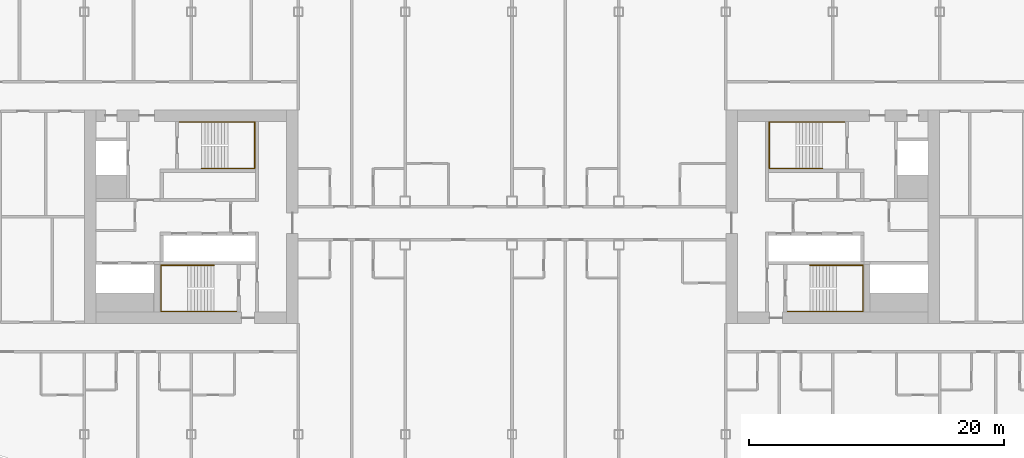
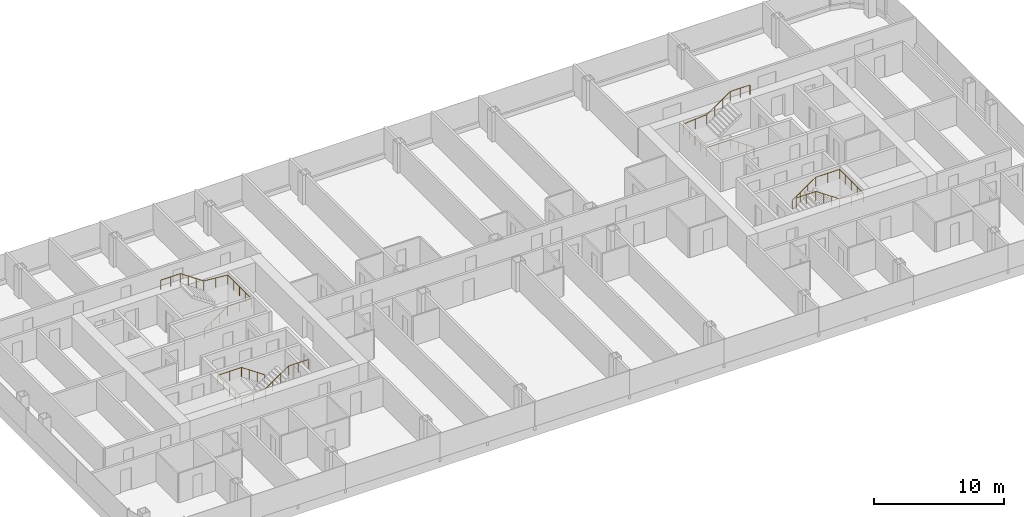
# One storey, part 26 of 26: 4 railings.
"""IFC4 building model written with IfcOpenShell, lengths in metres."""

from ifc_helpers import new_model, si_unit, direction, frame, origin, origin_2d, place, context, subcontext, project, spatial, circle, extrude, material, type_object, element, save


model = new_model("IFC4")

# Units and contexts
model_context = context("Model", 3, precision=1e-05, world=origin(), true_north=direction((0.0, 1.0)))
body_context = subcontext(model_context, "Body", "Model", "MODEL_VIEW")
ifc_project = project(units=[si_unit("LENGTHUNIT", "METRE"), si_unit("AREAUNIT", "SQUARE_METRE"), si_unit("VOLUMEUNIT", "CUBIC_METRE"), si_unit("PLANEANGLEUNIT", "RADIAN"), si_unit("MASSUNIT", "GRAM", prefix="KILO")], contexts=[model_context])

# Site, building, storey
site_placement = place(None, origin())
site = spatial("IfcSite", under=ifc_project, at=site_placement, CompositionType="ELEMENT")
building_placement = place(site_placement, origin())
building = spatial("IfcBuilding", under=site, at=building_placement, Name="Hakoniwa Tower and Hamabe Station Hall", CompositionType="ELEMENT")
storey_placement = place(building_placement, frame((0.0, 0.0, 140.60009765625)))
storey = spatial("IfcBuildingStorey", under=building, at=storey_placement, Name="L39", CompositionType="ELEMENT", Elevation=140.60009765625)

# Railings
ifc_material = material(Name="Stainless steel SUS304", Category="steel")
railing_type = type_object("IfcRailingType", Name="STAIR HANDRAIL 900", PredefinedType="HANDRAIL", material=ifc_material)
railing_1_placement = place(storey_placement, frame((-24.39990234375, 3.81005859375, 0.177734375)))
element("IfcRailing", 1, at=railing_1_placement, inside=storey, type_object=railing_type, Name="Handrail ST-1 L39 1", PredefinedType="HANDRAIL", context=body_context, shape_type="SweptSolid", body=[
    extrude(circle(Radius=0.02392578125, at=origin_2d()), frame((0.0, 0.0, 0.8759765625), z_axis=(0.825478349766, 0.0, 0.564433781827), x_axis=(0.0, 1.0, 0.0)), (0.0, 0.0, 1.0), 2.51953125),
    extrude(circle(Radius=0.02392578125, at=origin_2d()), frame((2.079833984375, 0.0, 2.2978515625), z_axis=(1.0, 0.0, 0.0), x_axis=(0.0, 1.0, 0.0)), (0.0, 0.0, 1.0), 2.110107421875),
    extrude(circle(Radius=0.02392578125, at=origin_2d()), frame((4.18994140625, 0.0, 2.2978515625), z_axis=(0.0, 1.0, 0.0), x_axis=(-1.0, 0.0, 0.0)), (0.0, 0.0, 1.0), 3.6298828125),
    extrude(circle(Radius=0.02392578125, at=origin_2d()), frame((4.18994140625, 3.6298828125, 2.2978515625), z_axis=(-0.996471417081, 0.0, 0.083932800143), x_axis=(0.0, -1.0, 0.0)), (0.0, 0.0, 1.0), 2.11767578125),
    extrude(circle(Radius=0.02392578125, at=origin_2d()), frame((2.079833984375, 3.6298828125, 2.4755859375), z_axis=(-0.825433201882, 0.0, 0.564499804456), x_axis=(0.0, -1.0, 0.0)), (0.0, 0.0, 1.0), 2.519775390625),
    extrude(circle(Radius=0.02392578125, at=origin_2d()), frame((0.0, 3.6298828125, 3.89794921875), z_axis=(-1.0, 0.0, 0.0), x_axis=(0.0, -1.0, 0.0)), (0.0, 0.0, 1.0), 1.739990234375),
    extrude(circle(Radius=0.02099609375, at=origin_2d()), origin(), (0.0, 0.0, 1.0), 0.851806640625),
    extrude(circle(Radius=0.02099609375, at=origin_2d()), frame((0.693359375, 0.0, 0.47412109375)), (0.0, 0.0, 1.0), 0.851806640625),
    extrude(circle(Radius=0.02099609375, at=origin_2d()), frame((1.386474609375, 0.0, 0.947998046875)), (0.0, 0.0, 1.0), 0.851806640625),
    extrude(circle(Radius=0.02099609375, at=origin_2d()), frame((2.079833984375, 0.0, 1.422119140625)), (0.0, 0.0, 1.0), 0.851806640625),
    extrude(circle(Radius=0.02099609375, at=origin_2d()), frame((3.134765625, 0.0, 1.422119140625)), (0.0, 0.0, 1.0), 0.851806640625),
    extrude(circle(Radius=0.02099609375, at=origin_2d()), frame((4.18994140625, 0.0, 1.422119140625)), (0.0, 0.0, 1.0), 0.851806640625),
    extrude(circle(Radius=0.02099609375, at=origin_2d()), frame((4.18994140625, 0.907470703125, 1.422119140625)), (0.0, 0.0, 1.0), 0.851806640625),
    extrude(circle(Radius=0.02099609375, at=origin_2d()), frame((4.18994140625, 1.81494140625, 1.422119140625)), (0.0, 0.0, 1.0), 0.851806640625),
    extrude(circle(Radius=0.02099609375, at=origin_2d()), frame((4.18994140625, 2.722412109375, 1.422119140625)), (0.0, 0.0, 1.0), 0.851806640625),
    extrude(circle(Radius=0.02099609375, at=origin_2d()), frame((4.18994140625, 3.6298828125, 1.422119140625)), (0.0, 0.0, 1.0), 0.851806640625),
    extrude(circle(Radius=0.02099609375, at=origin_2d()), frame((3.134765625, 3.6298828125, 1.510986328125)), (0.0, 0.0, 1.0), 0.851806640625),
    extrude(circle(Radius=0.02099609375, at=origin_2d()), frame((2.079833984375, 3.6298828125, 1.599853515625)), (0.0, 0.0, 1.0), 0.851806640625),
    extrude(circle(Radius=0.02099609375, at=origin_2d()), frame((1.386474609375, 3.6298828125, 2.073974609375)), (0.0, 0.0, 1.0), 0.851806640625),
    extrude(circle(Radius=0.02099609375, at=origin_2d()), frame((0.693359375, 3.6298828125, 2.548095703125)), (0.0, 0.0, 1.0), 0.851806640625),
    extrude(circle(Radius=0.02099609375, at=origin_2d()), frame((0.0, 3.6298828125, 3.022216796875)), (0.0, 0.0, 1.0), 0.851806640625),
    extrude(circle(Radius=0.02099609375, at=origin_2d()), frame((-0.8701171875, 3.6298828125, 3.022216796875)), (0.0, 0.0, 1.0), 0.851806640625),
    extrude(circle(Radius=0.02099609375, at=origin_2d()), frame((-1.739990234375, 3.6298828125, 3.022216796875)), (0.0, 0.0, 1.0), 0.851806640625),
])
railing_2_placement = place(storey_placement, frame((-23.39990234375, -3.81005859375, 0.177734375)))
element("IfcRailing", 2, at=railing_2_placement, inside=storey, type_object=railing_type, Name="Handrail ST-2 L39 1", PredefinedType="HANDRAIL", context=body_context, shape_type="SweptSolid", body=[
    extrude(circle(Radius=0.02392578125, at=origin_2d()), frame((0.0, 0.0, 0.8759765625), z_axis=(-0.82550921652, 0.0, 0.564388636881), x_axis=(0.0, -1.0, 0.0)), (0.0, 0.0, 1.0), 2.519775390625),
    extrude(circle(Radius=0.02392578125, at=origin_2d()), frame((-2.080078125, 0.0, 2.2978515625), z_axis=(-1.0, 0.0, 0.0), x_axis=(0.0, -1.0, 0.0)), (0.0, 0.0, 1.0), 2.110107421875),
    extrude(circle(Radius=0.02392578125, at=origin_2d()), frame((-4.190185546875, 0.0, 2.2978515625), z_axis=(0.0, -1.0, 0.0), x_axis=(1.0, 0.0, 0.0)), (0.0, 0.0, 1.0), 3.6298828125),
    extrude(circle(Radius=0.02392578125, at=origin_2d()), frame((-4.190185546875, -3.6298828125, 2.2978515625), z_axis=(0.996471417081, 0.0, 0.083932800143), x_axis=(0.0, 1.0, 0.0)), (0.0, 0.0, 1.0), 2.11767578125),
    extrude(circle(Radius=0.02392578125, at=origin_2d()), frame((-2.080078125, -3.6298828125, 2.4755859375), z_axis=(0.825464074169, 0.0, 0.564454659168), x_axis=(0.0, 1.0, 0.0)), (0.0, 0.0, 1.0), 2.519775390625),
    extrude(circle(Radius=0.02392578125, at=origin_2d()), frame((0.0, -3.6298828125, 3.89794921875), z_axis=(1.0, 0.0, 0.0), x_axis=(0.0, 1.0, 0.0)), (0.0, 0.0, 1.0), 1.739990234375),
    extrude(circle(Radius=0.02099609375, at=origin_2d()), origin(), (0.0, 0.0, 1.0), 0.851806640625),
    extrude(circle(Radius=0.02099609375, at=origin_2d()), frame((-0.693359375, 0.0, 0.47412109375)), (0.0, 0.0, 1.0), 0.851806640625),
    extrude(circle(Radius=0.02099609375, at=origin_2d()), frame((-1.38671875, 0.0, 0.947998046875)), (0.0, 0.0, 1.0), 0.851806640625),
    extrude(circle(Radius=0.02099609375, at=origin_2d()), frame((-2.080078125, 0.0, 1.422119140625)), (0.0, 0.0, 1.0), 0.851806640625),
    extrude(circle(Radius=0.02099609375, at=origin_2d()), frame((-3.13525390625, 0.0, 1.422119140625)), (0.0, 0.0, 1.0), 0.851806640625),
    extrude(circle(Radius=0.02099609375, at=origin_2d()), frame((-4.190185546875, 0.0, 1.422119140625)), (0.0, 0.0, 1.0), 0.851806640625),
    extrude(circle(Radius=0.02099609375, at=origin_2d()), frame((-4.190185546875, -0.907470703125, 1.422119140625)), (0.0, 0.0, 1.0), 0.851806640625),
    extrude(circle(Radius=0.02099609375, at=origin_2d()), frame((-4.190185546875, -1.81494140625, 1.422119140625)), (0.0, 0.0, 1.0), 0.851806640625),
    extrude(circle(Radius=0.02099609375, at=origin_2d()), frame((-4.190185546875, -2.722412109375, 1.422119140625)), (0.0, 0.0, 1.0), 0.851806640625),
    extrude(circle(Radius=0.02099609375, at=origin_2d()), frame((-4.190185546875, -3.6298828125, 1.422119140625)), (0.0, 0.0, 1.0), 0.851806640625),
    extrude(circle(Radius=0.02099609375, at=origin_2d()), frame((-3.13525390625, -3.6298828125, 1.510986328125)), (0.0, 0.0, 1.0), 0.851806640625),
    extrude(circle(Radius=0.02099609375, at=origin_2d()), frame((-2.080078125, -3.6298828125, 1.599853515625)), (0.0, 0.0, 1.0), 0.851806640625),
    extrude(circle(Radius=0.02099609375, at=origin_2d()), frame((-1.38671875, -3.6298828125, 2.073974609375)), (0.0, 0.0, 1.0), 0.851806640625),
    extrude(circle(Radius=0.02099609375, at=origin_2d()), frame((-0.693359375, -3.6298828125, 2.548095703125)), (0.0, 0.0, 1.0), 0.851806640625),
    extrude(circle(Radius=0.02099609375, at=origin_2d()), frame((0.0, -3.6298828125, 3.022216796875)), (0.0, 0.0, 1.0), 0.851806640625),
    extrude(circle(Radius=0.02099609375, at=origin_2d()), frame((0.8701171875, -3.6298828125, 3.022216796875)), (0.0, 0.0, 1.0), 0.851806640625),
    extrude(circle(Radius=0.02099609375, at=origin_2d()), frame((1.739990234375, -3.6298828125, 3.022216796875)), (0.0, 0.0, 1.0), 0.851806640625),
])
railing_3_placement = place(storey_placement, frame((24.39990234375, 3.81005859375, 0.177734375)))
element("IfcRailing", 3, at=railing_3_placement, inside=storey, type_object=railing_type, Name="Handrail ST-3 L39 1", PredefinedType="HANDRAIL", context=body_context, shape_type="SweptSolid", body=[
    extrude(circle(Radius=0.02392578125, at=origin_2d()), frame((0.0, 0.0, 0.8759765625), z_axis=(-0.825478349766, 0.0, 0.564433781827), x_axis=(0.0, -1.0, 0.0)), (0.0, 0.0, 1.0), 2.51953125),
    extrude(circle(Radius=0.02392578125, at=origin_2d()), frame((-2.079833984375, 0.0, 2.2978515625), z_axis=(-1.0, 0.0, 0.0), x_axis=(0.0, -1.0, 0.0)), (0.0, 0.0, 1.0), 2.110107421875),
    extrude(circle(Radius=0.02392578125, at=origin_2d()), frame((-4.18994140625, 0.0, 2.2978515625), z_axis=(0.0, 1.0, 0.0), x_axis=(-1.0, 0.0, 0.0)), (0.0, 0.0, 1.0), 3.6298828125),
    extrude(circle(Radius=0.02392578125, at=origin_2d()), frame((-4.18994140625, 3.6298828125, 2.2978515625), z_axis=(0.996471417081, 0.0, 0.083932800143), x_axis=(0.0, 1.0, 0.0)), (0.0, 0.0, 1.0), 2.11767578125),
    extrude(circle(Radius=0.02392578125, at=origin_2d()), frame((-2.079833984375, 3.6298828125, 2.4755859375), z_axis=(0.825433201882, 0.0, 0.564499804456), x_axis=(0.0, 1.0, 0.0)), (0.0, 0.0, 1.0), 2.519775390625),
    extrude(circle(Radius=0.02392578125, at=origin_2d()), frame((0.0, 3.6298828125, 3.89794921875), z_axis=(1.0, 0.0, 0.0), x_axis=(0.0, 1.0, 0.0)), (0.0, 0.0, 1.0), 1.739990234375),
    extrude(circle(Radius=0.02099609375, at=origin_2d()), origin(), (0.0, 0.0, 1.0), 0.851806640625),
    extrude(circle(Radius=0.02099609375, at=origin_2d()), frame((-0.693359375, 0.0, 0.47412109375)), (0.0, 0.0, 1.0), 0.851806640625),
    extrude(circle(Radius=0.02099609375, at=origin_2d()), frame((-1.386474609375, 0.0, 0.947998046875)), (0.0, 0.0, 1.0), 0.851806640625),
    extrude(circle(Radius=0.02099609375, at=origin_2d()), frame((-2.079833984375, 0.0, 1.422119140625)), (0.0, 0.0, 1.0), 0.851806640625),
    extrude(circle(Radius=0.02099609375, at=origin_2d()), frame((-3.134765625, 0.0, 1.422119140625)), (0.0, 0.0, 1.0), 0.851806640625),
    extrude(circle(Radius=0.02099609375, at=origin_2d()), frame((-4.18994140625, 0.0, 1.422119140625)), (0.0, 0.0, 1.0), 0.851806640625),
    extrude(circle(Radius=0.02099609375, at=origin_2d()), frame((-4.18994140625, 0.907470703125, 1.422119140625)), (0.0, 0.0, 1.0), 0.851806640625),
    extrude(circle(Radius=0.02099609375, at=origin_2d()), frame((-4.18994140625, 1.81494140625, 1.422119140625)), (0.0, 0.0, 1.0), 0.851806640625),
    extrude(circle(Radius=0.02099609375, at=origin_2d()), frame((-4.18994140625, 2.722412109375, 1.422119140625)), (0.0, 0.0, 1.0), 0.851806640625),
    extrude(circle(Radius=0.02099609375, at=origin_2d()), frame((-4.18994140625, 3.6298828125, 1.422119140625)), (0.0, 0.0, 1.0), 0.851806640625),
    extrude(circle(Radius=0.02099609375, at=origin_2d()), frame((-3.134765625, 3.6298828125, 1.510986328125)), (0.0, 0.0, 1.0), 0.851806640625),
    extrude(circle(Radius=0.02099609375, at=origin_2d()), frame((-2.079833984375, 3.6298828125, 1.599853515625)), (0.0, 0.0, 1.0), 0.851806640625),
    extrude(circle(Radius=0.02099609375, at=origin_2d()), frame((-1.386474609375, 3.6298828125, 2.073974609375)), (0.0, 0.0, 1.0), 0.851806640625),
    extrude(circle(Radius=0.02099609375, at=origin_2d()), frame((-0.693359375, 3.6298828125, 2.548095703125)), (0.0, 0.0, 1.0), 0.851806640625),
    extrude(circle(Radius=0.02099609375, at=origin_2d()), frame((0.0, 3.6298828125, 3.022216796875)), (0.0, 0.0, 1.0), 0.851806640625),
    extrude(circle(Radius=0.02099609375, at=origin_2d()), frame((0.8701171875, 3.6298828125, 3.022216796875)), (0.0, 0.0, 1.0), 0.851806640625),
    extrude(circle(Radius=0.02099609375, at=origin_2d()), frame((1.739990234375, 3.6298828125, 3.022216796875)), (0.0, 0.0, 1.0), 0.851806640625),
])
railing_4_placement = place(storey_placement, frame((23.39990234375, -3.81005859375, 0.177734375)))
element("IfcRailing", 4, at=railing_4_placement, inside=storey, type_object=railing_type, Name="Handrail ST-4 L39 1", PredefinedType="HANDRAIL", context=body_context, shape_type="SweptSolid", body=[
    extrude(circle(Radius=0.02392578125, at=origin_2d()), frame((0.0, 0.0, 0.8759765625), z_axis=(0.82550921652, 0.0, 0.564388636881), x_axis=(0.0, 1.0, 0.0)), (0.0, 0.0, 1.0), 2.519775390625),
    extrude(circle(Radius=0.02392578125, at=origin_2d()), frame((2.080078125, 0.0, 2.2978515625), z_axis=(1.0, 0.0, 0.0), x_axis=(0.0, 1.0, 0.0)), (0.0, 0.0, 1.0), 2.110107421875),
    extrude(circle(Radius=0.02392578125, at=origin_2d()), frame((4.190185546875, 0.0, 2.2978515625), z_axis=(0.0, -1.0, 0.0), x_axis=(1.0, 0.0, 0.0)), (0.0, 0.0, 1.0), 3.6298828125),
    extrude(circle(Radius=0.02392578125, at=origin_2d()), frame((4.190185546875, -3.6298828125, 2.2978515625), z_axis=(-0.996471417081, 0.0, 0.083932800143), x_axis=(0.0, -1.0, 0.0)), (0.0, 0.0, 1.0), 2.11767578125),
    extrude(circle(Radius=0.02392578125, at=origin_2d()), frame((2.080078125, -3.6298828125, 2.4755859375), z_axis=(-0.825464074169, 0.0, 0.564454659168), x_axis=(0.0, -1.0, 0.0)), (0.0, 0.0, 1.0), 2.519775390625),
    extrude(circle(Radius=0.02392578125, at=origin_2d()), frame((0.0, -3.6298828125, 3.89794921875), z_axis=(-1.0, 0.0, 0.0), x_axis=(0.0, -1.0, 0.0)), (0.0, 0.0, 1.0), 1.739990234375),
    extrude(circle(Radius=0.02099609375, at=origin_2d()), origin(), (0.0, 0.0, 1.0), 0.851806640625),
    extrude(circle(Radius=0.02099609375, at=origin_2d()), frame((0.693359375, 0.0, 0.47412109375)), (0.0, 0.0, 1.0), 0.851806640625),
    extrude(circle(Radius=0.02099609375, at=origin_2d()), frame((1.38671875, 0.0, 0.947998046875)), (0.0, 0.0, 1.0), 0.851806640625),
    extrude(circle(Radius=0.02099609375, at=origin_2d()), frame((2.080078125, 0.0, 1.422119140625)), (0.0, 0.0, 1.0), 0.851806640625),
    extrude(circle(Radius=0.02099609375, at=origin_2d()), frame((3.13525390625, 0.0, 1.422119140625)), (0.0, 0.0, 1.0), 0.851806640625),
    extrude(circle(Radius=0.02099609375, at=origin_2d()), frame((4.190185546875, 0.0, 1.422119140625)), (0.0, 0.0, 1.0), 0.851806640625),
    extrude(circle(Radius=0.02099609375, at=origin_2d()), frame((4.190185546875, -0.907470703125, 1.422119140625)), (0.0, 0.0, 1.0), 0.851806640625),
    extrude(circle(Radius=0.02099609375, at=origin_2d()), frame((4.190185546875, -1.81494140625, 1.422119140625)), (0.0, 0.0, 1.0), 0.851806640625),
    extrude(circle(Radius=0.02099609375, at=origin_2d()), frame((4.190185546875, -2.722412109375, 1.422119140625)), (0.0, 0.0, 1.0), 0.851806640625),
    extrude(circle(Radius=0.02099609375, at=origin_2d()), frame((4.190185546875, -3.6298828125, 1.422119140625)), (0.0, 0.0, 1.0), 0.851806640625),
    extrude(circle(Radius=0.02099609375, at=origin_2d()), frame((3.13525390625, -3.6298828125, 1.510986328125)), (0.0, 0.0, 1.0), 0.851806640625),
    extrude(circle(Radius=0.02099609375, at=origin_2d()), frame((2.080078125, -3.6298828125, 1.599853515625)), (0.0, 0.0, 1.0), 0.851806640625),
    extrude(circle(Radius=0.02099609375, at=origin_2d()), frame((1.38671875, -3.6298828125, 2.073974609375)), (0.0, 0.0, 1.0), 0.851806640625),
    extrude(circle(Radius=0.02099609375, at=origin_2d()), frame((0.693359375, -3.6298828125, 2.548095703125)), (0.0, 0.0, 1.0), 0.851806640625),
    extrude(circle(Radius=0.02099609375, at=origin_2d()), frame((0.0, -3.6298828125, 3.022216796875)), (0.0, 0.0, 1.0), 0.851806640625),
    extrude(circle(Radius=0.02099609375, at=origin_2d()), frame((-0.8701171875, -3.6298828125, 3.022216796875)), (0.0, 0.0, 1.0), 0.851806640625),
    extrude(circle(Radius=0.02099609375, at=origin_2d()), frame((-1.739990234375, -3.6298828125, 3.022216796875)), (0.0, 0.0, 1.0), 0.851806640625),
])

save(model, "model.ifc")
